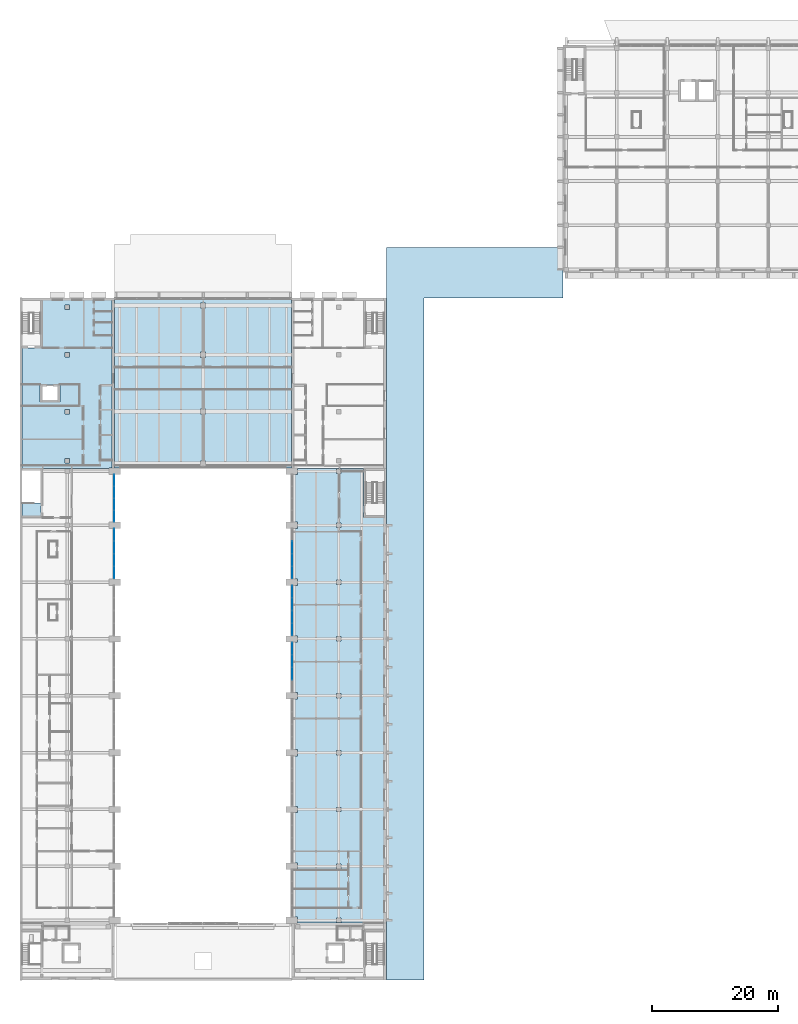
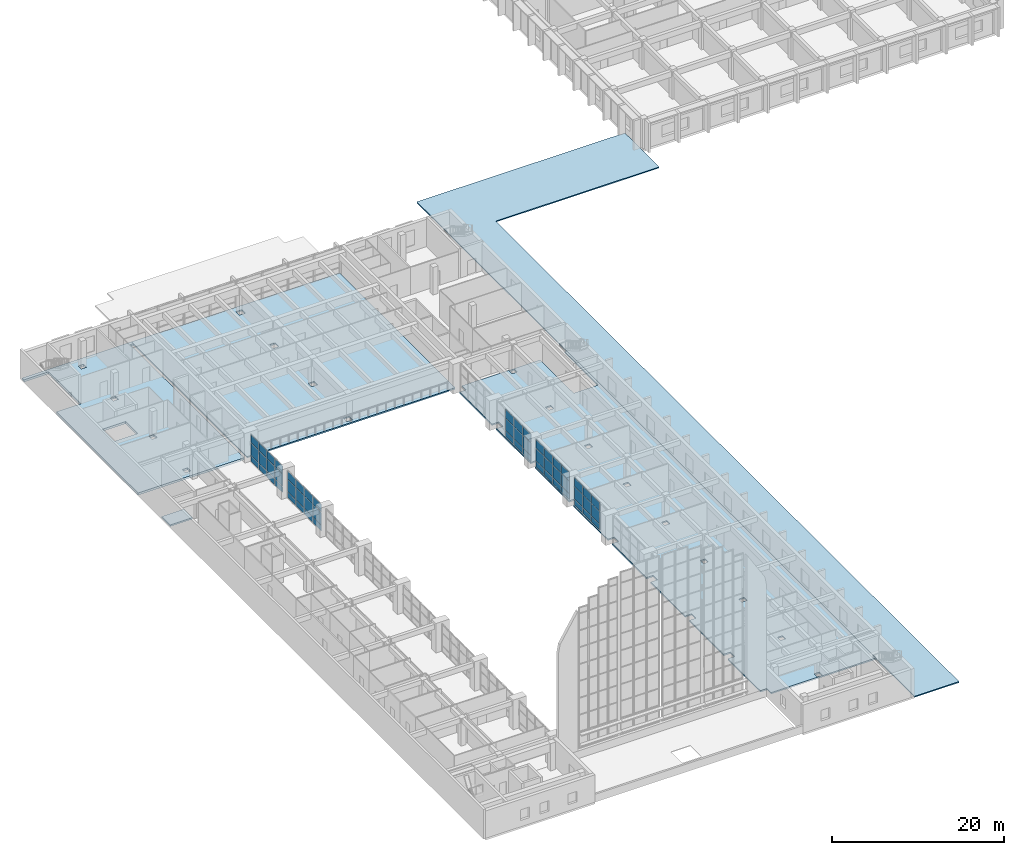
# One storey, part 22 of 45: 54 plates, 5 slabs, 5 elements without a shape of their own.
"""IFC4 building model written with IfcOpenShell, lengths in metres."""

from ifc_helpers import new_model, si_unit, direction, frame, origin, origin_2d, place, context, subcontext, project, spatial, polyline, rectangle, outline, extrude, material, layer, layer_set, type_object, element, aggregate, save


model = new_model("IFC4")

# Units and contexts
model_context = context("Model", 3, precision=1e-05, world=origin(), true_north=direction((0.0, 1.0)))
body_context = subcontext(model_context, "Body", "Model", "MODEL_VIEW")
ifc_project = project(units=[si_unit("LENGTHUNIT", "METRE"), si_unit("AREAUNIT", "SQUARE_METRE"), si_unit("VOLUMEUNIT", "CUBIC_METRE"), si_unit("PLANEANGLEUNIT", "RADIAN"), si_unit("MASSUNIT", "GRAM", prefix="KILO")], contexts=[model_context])

# Site, building, storey
site_placement = place(None, origin())
site = spatial("IfcSite", under=ifc_project, at=site_placement, CompositionType="ELEMENT")
building_placement = place(site_placement, origin())
building = spatial("IfcBuilding", under=site, at=building_placement, Name="Elmora Arch Market Hall", CompositionType="ELEMENT")
storey_placement = place(building_placement, frame((0.0, 0.0, 6.0)))
storey = spatial("IfcBuildingStorey", under=building, at=storey_placement, Name="L01", CompositionType="ELEMENT", Elevation=6.0)

# Slabs
ifc_material_1 = material(Name="Concrete C32/40", Category="concrete")
ifc_layer_1 = layer(ifc_material_1, 0.14990234375)
ifc_layer_set_1 = layer_set([ifc_layer_1], Name="Concrete C32/40")
slab_type_1 = type_object("IfcSlabType", Name="Canopy slab 150", PredefinedType="ROOF", material=ifc_layer_set_1)
slab_1_placement = place(storey_placement, frame((0.0, 0.0, -0.14990234375)))
element("IfcSlab", 1, at=slab_1_placement, inside=storey, type_object=slab_type_1, Name="Covered passage canopy", PredefinedType="ROOF", context=body_context, shape_type="SweptSolid", body=[
    extrude(outline(polyline([(58.0, 18.0), (58.0, 126.0), (58.0, 134.0), (86.0, 134.0), (86.0, 126.0), (64.0, 126.0), (64.0, 18.0), (58.0, 18.0)])), origin(), (0.0, 0.0, 1.0), 0.14990234375),
])
ifc_material_2 = material(Name="Concrete C32/40", Category="concrete")
ifc_layer_2 = layer(ifc_material_2, 0.199951171875)
ifc_layer_set_2 = layer_set([ifc_layer_2], Name="Concrete C32/40")
slab_type_2 = type_object("IfcSlabType", Name="Floor slab 200", PredefinedType="FLOOR", material=ifc_layer_set_2)
slab_2_placement = place(storey_placement, frame((0.0, 0.0, -0.199951171875)))
element("IfcSlab", 2, at=slab_2_placement, inside=storey, type_object=slab_type_2, Name="L01 floor slab EW", PredefinedType="FLOOR", context=body_context, shape_type="SweptSolid", body=[
    extrude(outline(polyline([(58.0, 99.0), (58.0, 27.0), (43.90087890625, 27.0), (43.90087890625, 27.950927734375), (43.0, 27.950927734375), (43.0, 35.4990234375), (43.90087890625, 35.4990234375), (43.90087890625, 36.5009765625), (43.0, 36.5009765625), (43.0, 44.4990234375), (43.90087890625, 44.4990234375), (43.90087890625, 45.5009765625), (43.0, 45.5009765625), (43.0, 53.4990234375), (43.90087890625, 53.4990234375), (43.90087890625, 54.5009765625), (43.0, 54.5009765625), (43.0, 62.4990234375), (43.90087890625, 62.4990234375), (43.90087890625, 63.5009765625), (43.0, 63.5009765625), (43.0, 71.4990234375), (43.90087890625, 71.4990234375), (43.90087890625, 72.5009765625), (43.0, 72.5009765625), (43.0, 80.4990234375), (43.90087890625, 80.4990234375), (43.90087890625, 81.5009765625), (43.0, 81.5009765625), (43.0, 89.4990234375), (43.90087890625, 89.4990234375), (43.90087890625, 90.5009765625), (43.0, 90.5009765625), (43.0, 98.049072265625), (43.90087890625, 98.049072265625), (43.90087890625, 99.0), (54.39892578125, 99.0), (54.39892578125, 91.198974609375), (57.700927734375, 91.198974609375), (57.700927734375, 99.0), (58.0, 99.0)]), holes=[polyline([(50.14892578125, 81.35107421875), (50.14892578125, 80.64892578125), (50.85107421875, 80.64892578125), (50.85107421875, 81.35107421875), (50.14892578125, 81.35107421875)]), polyline([(50.14892578125, 90.35107421875), (50.14892578125, 89.64892578125), (50.85107421875, 89.64892578125), (50.85107421875, 90.35107421875), (50.14892578125, 90.35107421875)]), polyline([(50.14892578125, 98.90087890625), (50.14892578125, 98.198974609375), (50.85107421875, 98.198974609375), (50.85107421875, 98.90087890625), (50.14892578125, 98.90087890625)]), polyline([(50.14892578125, 63.35107421875), (50.14892578125, 62.64892578125), (50.85107421875, 62.64892578125), (50.85107421875, 63.35107421875), (50.14892578125, 63.35107421875)]), polyline([(50.85107421875, 72.35107421875), (50.14892578125, 72.35107421875), (50.14892578125, 71.64892578125), (50.85107421875, 71.64892578125), (50.85107421875, 72.35107421875)]), polyline([(50.14892578125, 54.35107421875), (50.14892578125, 53.64892578125), (50.85107421875, 53.64892578125), (50.85107421875, 54.35107421875), (50.14892578125, 54.35107421875)]), polyline([(50.14892578125, 45.35107421875), (50.14892578125, 44.64892578125), (50.85107421875, 44.64892578125), (50.85107421875, 45.35107421875), (50.14892578125, 45.35107421875)]), polyline([(50.14892578125, 36.35107421875), (50.14892578125, 35.64892578125), (50.85107421875, 35.64892578125), (50.85107421875, 36.35107421875), (50.14892578125, 36.35107421875)]), polyline([(50.14892578125, 27.801025390625), (50.14892578125, 27.09912109375), (50.85107421875, 27.09912109375), (50.85107421875, 27.801025390625), (50.14892578125, 27.801025390625)])]), origin(), (0.0, 0.0, 1.0), 0.199951171875),
])
slab_3_placement = place(storey_placement, frame((0.0, 0.0, -0.199951171875)))
element("IfcSlab", 3, at=slab_3_placement, inside=storey, type_object=slab_type_2, Name="L01 floor slab NM", PredefinedType="FLOOR", context=body_context, shape_type="SweptSolid", body=[
    extrude(outline(polyline([(15.0, 126.0), (43.0, 126.0), (43.0, 125.551025390625), (42.9990234375, 125.551025390625), (42.9990234375, 99.051025390625), (42.09912109375, 99.051025390625), (42.09912109375, 99.0), (15.90087890625, 99.0), (15.90087890625, 99.051025390625), (15.0009765625, 99.051025390625), (15.0009765625, 125.551025390625), (15.0, 125.551025390625), (15.0, 126.0)]), holes=[polyline([(28.59912109375, 117.40087890625), (28.59912109375, 116.59912109375), (29.40087890625, 116.59912109375), (29.40087890625, 117.40087890625), (28.59912109375, 117.40087890625)]), polyline([(28.59912109375, 100.200927734375), (28.59912109375, 99.39892578125), (29.40087890625, 99.39892578125), (29.40087890625, 100.200927734375), (28.59912109375, 100.200927734375)]), polyline([(29.40087890625, 108.40087890625), (28.59912109375, 108.40087890625), (28.59912109375, 107.59912109375), (29.40087890625, 107.59912109375), (29.40087890625, 108.40087890625)]), polyline([(28.59912109375, 125.200927734375), (28.59912109375, 124.39892578125), (29.40087890625, 124.39892578125), (29.40087890625, 125.200927734375), (28.59912109375, 125.200927734375)])]), origin(), (0.0, 0.0, 1.0), 0.199951171875),
])
ifc_material_3 = material(Name="Concrete C32/40", Category="concrete")
ifc_layer_3 = layer(ifc_material_3, 0.300048828125)
ifc_layer_set_3 = layer_set([ifc_layer_3], Name="Concrete C32/40")
slab_type_3 = type_object("IfcSlabType", Name="Floor slab 300", PredefinedType="FLOOR", material=ifc_layer_set_3)
slab_4_placement = place(storey_placement, frame((0.0, 0.0, -0.300048828125)))
element("IfcSlab", 4, at=slab_4_placement, inside=storey, type_object=slab_type_3, Name="L01 floor slab NW", PredefinedType="FLOOR", context=body_context, shape_type="SweptSolid", body=[
    extrude(outline(polyline([(15.0, 126.0), (15.0, 125.551025390625), (14.59912109375, 125.551025390625), (14.59912109375, 99.051025390625), (14.09912109375, 99.051025390625), (14.09912109375, 99.0), (3.60107421875, 99.0), (3.60107421875, 99.0009765625), (0.301025390625, 99.0009765625), (0.301025390625, 118.049072265625), (3.60107421875, 118.049072265625), (3.60107421875, 125.551025390625), (0.301025390625, 125.551025390625), (0.301025390625, 126.0), (15.0, 126.0)]), holes=[polyline([(7.14892578125, 100.551025390625), (7.14892578125, 99.84912109375), (7.85107421875, 99.84912109375), (7.85107421875, 100.551025390625), (7.14892578125, 100.551025390625)]), polyline([(7.85107421875, 108.35107421875), (7.14892578125, 108.35107421875), (7.14892578125, 107.64892578125), (7.85107421875, 107.64892578125), (7.85107421875, 108.35107421875)]), polyline([(7.14892578125, 117.35107421875), (7.14892578125, 116.64892578125), (7.85107421875, 116.64892578125), (7.85107421875, 117.35107421875), (7.14892578125, 117.35107421875)]), polyline([(7.14892578125, 124.85107421875), (7.14892578125, 124.14892578125), (7.85107421875, 124.14892578125), (7.85107421875, 124.85107421875), (7.14892578125, 124.85107421875)]), polyline([(3.198974609375, 112.301025390625), (3.198974609375, 109.4990234375), (6.301025390625, 109.4990234375), (6.301025390625, 112.301025390625), (3.198974609375, 112.301025390625)])]), origin(), (0.0, 0.0, 1.0), 0.300048828125),
])

# Curtain wall, plates
ifc_material_4 = material(Name="Aluminium", Category="aluminium")
curtain_wall_type = type_object("IfcCurtainWallType", Name="Hall front curtain wall", PredefinedType="NOTDEFINED", material=ifc_material_4)
curtain_wall_1_placement = place(storey_placement, origin())
curtain_wall_1 = element("IfcCurtainWall", 5, at=curtain_wall_1_placement, inside=storey, type_object=curtain_wall_type, Name="Wing front W L01 7", PredefinedType="NOTDEFINED")
ifc_material_5 = material(Name="Glass", Category="glass")
ifc_layer_4 = layer(ifc_material_5, 0.028076171875)
ifc_layer_set_4 = layer_set([ifc_layer_4], Name="Glass")
plate_type = type_object("IfcPlateType", Name="Glass panel 28", PredefinedType="CURTAIN_PANEL", material=ifc_layer_set_4)
plate_1_placement = place(storey_placement, frame((14.89990234375, 82.52001953125, 0.06005859375), z_axis=(0.0, 0.0, 1.0), x_axis=(0.0, 1.0, 0.0)))
plate_1 = element("IfcPlate", 6, at=plate_1_placement, type_object=plate_type, Name="CW2 panel 1.1", PredefinedType="CURTAIN_PANEL", context=body_context, shape_type="SweptSolid", body=[
    extrude(rectangle(XDim=1.8798828125, YDim=0.028076171875, at=origin_2d()), origin(), (0.0, 0.0, 1.0), 0.81005859375),
])
plate_2_placement = place(storey_placement, frame((14.89990234375, 82.52001953125, 0.93017578125), z_axis=(0.0, 0.0, 1.0), x_axis=(0.0, 1.0, 0.0)))
plate_2 = element("IfcPlate", 7, at=plate_2_placement, type_object=plate_type, Name="CW2 panel 1.2", PredefinedType="CURTAIN_PANEL", context=body_context, shape_type="SweptSolid", body=[
    extrude(rectangle(XDim=1.8798828125, YDim=0.028076171875, at=origin_2d()), origin(), (0.0, 0.0, 1.0), 1.739990234375),
])
plate_3_placement = place(storey_placement, frame((14.89990234375, 82.52001953125, 2.72998046875), z_axis=(0.0, 0.0, 1.0), x_axis=(0.0, 1.0, 0.0)))
plate_3 = element("IfcPlate", 8, at=plate_3_placement, type_object=plate_type, Name="CW2 panel 1.3", PredefinedType="CURTAIN_PANEL", context=body_context, shape_type="SweptSolid", body=[
    extrude(rectangle(XDim=1.8798828125, YDim=0.028076171875, at=origin_2d()), origin(), (0.0, 0.0, 1.0), 1.110107421875),
])
plate_4_placement = place(storey_placement, frame((14.89990234375, 84.5, 0.06005859375), z_axis=(0.0, 0.0, 1.0), x_axis=(0.0, 1.0, 0.0)))
plate_4 = element("IfcPlate", 9, at=plate_4_placement, type_object=plate_type, Name="CW2 panel 2.1", PredefinedType="CURTAIN_PANEL", context=body_context, shape_type="SweptSolid", body=[
    extrude(rectangle(XDim=1.919921875, YDim=0.028076171875, at=origin_2d()), origin(), (0.0, 0.0, 1.0), 0.81005859375),
])
plate_5_placement = place(storey_placement, frame((14.89990234375, 84.5, 0.93017578125), z_axis=(0.0, 0.0, 1.0), x_axis=(0.0, 1.0, 0.0)))
plate_5 = element("IfcPlate", 10, at=plate_5_placement, type_object=plate_type, Name="CW2 panel 2.2", PredefinedType="CURTAIN_PANEL", context=body_context, shape_type="SweptSolid", body=[
    extrude(rectangle(XDim=1.919921875, YDim=0.028076171875, at=origin_2d()), origin(), (0.0, 0.0, 1.0), 1.739990234375),
])
plate_6_placement = place(storey_placement, frame((14.89990234375, 84.5, 2.72998046875), z_axis=(0.0, 0.0, 1.0), x_axis=(0.0, 1.0, 0.0)))
plate_6 = element("IfcPlate", 11, at=plate_6_placement, type_object=plate_type, Name="CW2 panel 2.3", PredefinedType="CURTAIN_PANEL", context=body_context, shape_type="SweptSolid", body=[
    extrude(rectangle(XDim=1.919921875, YDim=0.028076171875, at=origin_2d()), origin(), (0.0, 0.0, 1.0), 1.110107421875),
])
plate_7_placement = place(storey_placement, frame((14.89990234375, 86.5, 0.06005859375), z_axis=(0.0, 0.0, 1.0), x_axis=(0.0, 1.0, 0.0)))
plate_7 = element("IfcPlate", 12, at=plate_7_placement, type_object=plate_type, Name="CW2 panel 3.1", PredefinedType="CURTAIN_PANEL", context=body_context, shape_type="SweptSolid", body=[
    extrude(rectangle(XDim=1.919921875, YDim=0.028076171875, at=origin_2d()), origin(), (0.0, 0.0, 1.0), 0.81005859375),
])
plate_8_placement = place(storey_placement, frame((14.89990234375, 86.5, 0.93017578125), z_axis=(0.0, 0.0, 1.0), x_axis=(0.0, 1.0, 0.0)))
plate_8 = element("IfcPlate", 13, at=plate_8_placement, type_object=plate_type, Name="CW2 panel 3.2", PredefinedType="CURTAIN_PANEL", context=body_context, shape_type="SweptSolid", body=[
    extrude(rectangle(XDim=1.919921875, YDim=0.028076171875, at=origin_2d()), origin(), (0.0, 0.0, 1.0), 1.739990234375),
])
plate_9_placement = place(storey_placement, frame((14.89990234375, 86.5, 2.72998046875), z_axis=(0.0, 0.0, 1.0), x_axis=(0.0, 1.0, 0.0)))
plate_9 = element("IfcPlate", 14, at=plate_9_placement, type_object=plate_type, Name="CW2 panel 3.3", PredefinedType="CURTAIN_PANEL", context=body_context, shape_type="SweptSolid", body=[
    extrude(rectangle(XDim=1.919921875, YDim=0.028076171875, at=origin_2d()), origin(), (0.0, 0.0, 1.0), 1.110107421875),
])
plate_10_placement = place(storey_placement, frame((14.89990234375, 88.47998046875, 0.06005859375), z_axis=(0.0, 0.0, 1.0), x_axis=(0.0, 1.0, 0.0)))
plate_10 = element("IfcPlate", 15, at=plate_10_placement, type_object=plate_type, Name="CW2 panel 4.1", PredefinedType="CURTAIN_PANEL", context=body_context, shape_type="SweptSolid", body=[
    extrude(rectangle(XDim=1.8798828125, YDim=0.028076171875, at=origin_2d()), origin(), (0.0, 0.0, 1.0), 0.81005859375),
])
plate_11_placement = place(storey_placement, frame((14.89990234375, 88.47998046875, 0.93017578125), z_axis=(0.0, 0.0, 1.0), x_axis=(0.0, 1.0, 0.0)))
plate_11 = element("IfcPlate", 16, at=plate_11_placement, type_object=plate_type, Name="CW2 panel 4.2", PredefinedType="CURTAIN_PANEL", context=body_context, shape_type="SweptSolid", body=[
    extrude(rectangle(XDim=1.8798828125, YDim=0.028076171875, at=origin_2d()), origin(), (0.0, 0.0, 1.0), 1.739990234375),
])
plate_12_placement = place(storey_placement, frame((14.89990234375, 88.47998046875, 2.72998046875), z_axis=(0.0, 0.0, 1.0), x_axis=(0.0, 1.0, 0.0)))
plate_12 = element("IfcPlate", 17, at=plate_12_placement, type_object=plate_type, Name="CW2 panel 4.3", PredefinedType="CURTAIN_PANEL", context=body_context, shape_type="SweptSolid", body=[
    extrude(rectangle(XDim=1.8798828125, YDim=0.028076171875, at=origin_2d()), origin(), (0.0, 0.0, 1.0), 1.110107421875),
])
aggregate(curtain_wall_1, [plate_1, plate_2, plate_3, plate_4, plate_5, plate_6, plate_7, plate_8, plate_9, plate_10, plate_11, plate_12])

curtain_wall_2_placement = place(storey_placement, origin())
curtain_wall_2 = element("IfcCurtainWall", 18, at=curtain_wall_2_placement, inside=storey, type_object=curtain_wall_type, Name="Wing front W L01 8", PredefinedType="NOTDEFINED")
plate_13_placement = place(storey_placement, frame((14.89990234375, 91.4638671875, 0.06005859375), z_axis=(0.0, 0.0, 1.0), x_axis=(0.0, 1.0, 0.0)))
plate_13 = element("IfcPlate", 19, at=plate_13_placement, type_object=plate_type, Name="CW2 panel 1.1", PredefinedType="CURTAIN_PANEL", context=body_context, shape_type="SweptSolid", body=[
    extrude(rectangle(XDim=1.767578125, YDim=0.028076171875, at=origin_2d()), origin(), (0.0, 0.0, 1.0), 0.81005859375),
])
plate_14_placement = place(storey_placement, frame((14.89990234375, 91.4638671875, 0.93017578125), z_axis=(0.0, 0.0, 1.0), x_axis=(0.0, 1.0, 0.0)))
plate_14 = element("IfcPlate", 20, at=plate_14_placement, type_object=plate_type, Name="CW2 panel 1.2", PredefinedType="CURTAIN_PANEL", context=body_context, shape_type="SweptSolid", body=[
    extrude(rectangle(XDim=1.767578125, YDim=0.028076171875, at=origin_2d()), origin(), (0.0, 0.0, 1.0), 1.739990234375),
])
plate_15_placement = place(storey_placement, frame((14.89990234375, 91.4638671875, 2.72998046875), z_axis=(0.0, 0.0, 1.0), x_axis=(0.0, 1.0, 0.0)))
plate_15 = element("IfcPlate", 21, at=plate_15_placement, type_object=plate_type, Name="CW2 panel 1.3", PredefinedType="CURTAIN_PANEL", context=body_context, shape_type="SweptSolid", body=[
    extrude(rectangle(XDim=1.767578125, YDim=0.028076171875, at=origin_2d()), origin(), (0.0, 0.0, 1.0), 1.110107421875),
])
plate_16_placement = place(storey_placement, frame((14.89990234375, 93.331298828125, 0.06005859375), z_axis=(0.0, 0.0, 1.0), x_axis=(0.0, 1.0, 0.0)))
plate_16 = element("IfcPlate", 22, at=plate_16_placement, type_object=plate_type, Name="CW2 panel 2.1", PredefinedType="CURTAIN_PANEL", context=body_context, shape_type="SweptSolid", body=[
    extrude(rectangle(XDim=1.8076171875, YDim=0.028076171875, at=origin_2d()), origin(), (0.0, 0.0, 1.0), 0.81005859375),
])
plate_17_placement = place(storey_placement, frame((14.89990234375, 93.331298828125, 0.93017578125), z_axis=(0.0, 0.0, 1.0), x_axis=(0.0, 1.0, 0.0)))
plate_17 = element("IfcPlate", 23, at=plate_17_placement, type_object=plate_type, Name="CW2 panel 2.2", PredefinedType="CURTAIN_PANEL", context=body_context, shape_type="SweptSolid", body=[
    extrude(rectangle(XDim=1.8076171875, YDim=0.028076171875, at=origin_2d()), origin(), (0.0, 0.0, 1.0), 1.739990234375),
])
plate_18_placement = place(storey_placement, frame((14.89990234375, 93.331298828125, 2.72998046875), z_axis=(0.0, 0.0, 1.0), x_axis=(0.0, 1.0, 0.0)))
plate_18 = element("IfcPlate", 24, at=plate_18_placement, type_object=plate_type, Name="CW2 panel 2.3", PredefinedType="CURTAIN_PANEL", context=body_context, shape_type="SweptSolid", body=[
    extrude(rectangle(XDim=1.8076171875, YDim=0.028076171875, at=origin_2d()), origin(), (0.0, 0.0, 1.0), 1.110107421875),
])
plate_19_placement = place(storey_placement, frame((14.89990234375, 95.21875, 0.06005859375), z_axis=(0.0, 0.0, 1.0), x_axis=(0.0, 1.0, 0.0)))
plate_19 = element("IfcPlate", 25, at=plate_19_placement, type_object=plate_type, Name="CW2 panel 3.1", PredefinedType="CURTAIN_PANEL", context=body_context, shape_type="SweptSolid", body=[
    extrude(rectangle(XDim=1.8076171875, YDim=0.028076171875, at=origin_2d()), origin(), (0.0, 0.0, 1.0), 0.81005859375),
])
plate_20_placement = place(storey_placement, frame((14.89990234375, 95.21875, 0.93017578125), z_axis=(0.0, 0.0, 1.0), x_axis=(0.0, 1.0, 0.0)))
plate_20 = element("IfcPlate", 26, at=plate_20_placement, type_object=plate_type, Name="CW2 panel 3.2", PredefinedType="CURTAIN_PANEL", context=body_context, shape_type="SweptSolid", body=[
    extrude(rectangle(XDim=1.8076171875, YDim=0.028076171875, at=origin_2d()), origin(), (0.0, 0.0, 1.0), 1.739990234375),
])
plate_21_placement = place(storey_placement, frame((14.89990234375, 95.21875, 2.72998046875), z_axis=(0.0, 0.0, 1.0), x_axis=(0.0, 1.0, 0.0)))
plate_21 = element("IfcPlate", 27, at=plate_21_placement, type_object=plate_type, Name="CW2 panel 3.3", PredefinedType="CURTAIN_PANEL", context=body_context, shape_type="SweptSolid", body=[
    extrude(rectangle(XDim=1.8076171875, YDim=0.028076171875, at=origin_2d()), origin(), (0.0, 0.0, 1.0), 1.110107421875),
])
plate_22_placement = place(storey_placement, frame((14.89990234375, 97.086181640625, 0.06005859375), z_axis=(0.0, 0.0, 1.0), x_axis=(0.0, 1.0, 0.0)))
plate_22 = element("IfcPlate", 28, at=plate_22_placement, type_object=plate_type, Name="CW2 panel 4.1", PredefinedType="CURTAIN_PANEL", context=body_context, shape_type="SweptSolid", body=[
    extrude(rectangle(XDim=1.767578125, YDim=0.028076171875, at=origin_2d()), origin(), (0.0, 0.0, 1.0), 0.81005859375),
])
plate_23_placement = place(storey_placement, frame((14.89990234375, 97.086181640625, 0.93017578125), z_axis=(0.0, 0.0, 1.0), x_axis=(0.0, 1.0, 0.0)))
plate_23 = element("IfcPlate", 29, at=plate_23_placement, type_object=plate_type, Name="CW2 panel 4.2", PredefinedType="CURTAIN_PANEL", context=body_context, shape_type="SweptSolid", body=[
    extrude(rectangle(XDim=1.767578125, YDim=0.028076171875, at=origin_2d()), origin(), (0.0, 0.0, 1.0), 1.739990234375),
])
plate_24_placement = place(storey_placement, frame((14.89990234375, 97.086181640625, 2.72998046875), z_axis=(0.0, 0.0, 1.0), x_axis=(0.0, 1.0, 0.0)))
plate_24 = element("IfcPlate", 30, at=plate_24_placement, type_object=plate_type, Name="CW2 panel 4.3", PredefinedType="CURTAIN_PANEL", context=body_context, shape_type="SweptSolid", body=[
    extrude(rectangle(XDim=1.767578125, YDim=0.028076171875, at=origin_2d()), origin(), (0.0, 0.0, 1.0), 1.110107421875),
])
aggregate(curtain_wall_2, [plate_13, plate_14, plate_15, plate_16, plate_17, plate_18, plate_19, plate_20, plate_21, plate_22, plate_23, plate_24])

curtain_wall_3_placement = place(storey_placement, origin())
curtain_wall_3 = element("IfcCurtainWall", 31, at=curtain_wall_3_placement, inside=storey, type_object=curtain_wall_type, Name="Wing front E L01 5", PredefinedType="NOTDEFINED")
plate_25_placement = place(storey_placement, frame((43.10009765625, 66.5, 0.06005859375), z_axis=(0.0, 0.0, 1.0), x_axis=(0.0, 1.0, 0.0)))
plate_25 = element("IfcPlate", 32, at=plate_25_placement, type_object=plate_type, Name="CW2 panel 2.1", PredefinedType="CURTAIN_PANEL", context=body_context, shape_type="SweptSolid", body=[
    extrude(rectangle(XDim=1.919921875, YDim=0.028076171875, at=origin_2d()), origin(), (0.0, 0.0, 1.0), 0.81005859375),
])
plate_26_placement = place(storey_placement, frame((43.10009765625, 66.5, 0.93017578125), z_axis=(0.0, 0.0, 1.0), x_axis=(0.0, 1.0, 0.0)))
plate_26 = element("IfcPlate", 33, at=plate_26_placement, type_object=plate_type, Name="CW2 panel 2.2", PredefinedType="CURTAIN_PANEL", context=body_context, shape_type="SweptSolid", body=[
    extrude(rectangle(XDim=1.919921875, YDim=0.028076171875, at=origin_2d()), origin(), (0.0, 0.0, 1.0), 1.739990234375),
])
plate_27_placement = place(storey_placement, frame((43.10009765625, 66.5, 2.72998046875), z_axis=(0.0, 0.0, 1.0), x_axis=(0.0, 1.0, 0.0)))
plate_27 = element("IfcPlate", 34, at=plate_27_placement, type_object=plate_type, Name="CW2 panel 2.3", PredefinedType="CURTAIN_PANEL", context=body_context, shape_type="SweptSolid", body=[
    extrude(rectangle(XDim=1.919921875, YDim=0.028076171875, at=origin_2d()), origin(), (0.0, 0.0, 1.0), 1.2099609375),
])
plate_28_placement = place(storey_placement, frame((43.10009765625, 68.5, 0.06005859375), z_axis=(0.0, 0.0, 1.0), x_axis=(0.0, 1.0, 0.0)))
plate_28 = element("IfcPlate", 35, at=plate_28_placement, type_object=plate_type, Name="CW2 panel 3.1", PredefinedType="CURTAIN_PANEL", context=body_context, shape_type="SweptSolid", body=[
    extrude(rectangle(XDim=1.919921875, YDim=0.028076171875, at=origin_2d()), origin(), (0.0, 0.0, 1.0), 0.81005859375),
])
plate_29_placement = place(storey_placement, frame((43.10009765625, 68.5, 0.93017578125), z_axis=(0.0, 0.0, 1.0), x_axis=(0.0, 1.0, 0.0)))
plate_29 = element("IfcPlate", 36, at=plate_29_placement, type_object=plate_type, Name="CW2 panel 3.2", PredefinedType="CURTAIN_PANEL", context=body_context, shape_type="SweptSolid", body=[
    extrude(rectangle(XDim=1.919921875, YDim=0.028076171875, at=origin_2d()), origin(), (0.0, 0.0, 1.0), 1.739990234375),
])
plate_30_placement = place(storey_placement, frame((43.10009765625, 68.5, 2.72998046875), z_axis=(0.0, 0.0, 1.0), x_axis=(0.0, 1.0, 0.0)))
plate_30 = element("IfcPlate", 37, at=plate_30_placement, type_object=plate_type, Name="CW2 panel 3.3", PredefinedType="CURTAIN_PANEL", context=body_context, shape_type="SweptSolid", body=[
    extrude(rectangle(XDim=1.919921875, YDim=0.028076171875, at=origin_2d()), origin(), (0.0, 0.0, 1.0), 1.2099609375),
])
plate_31_placement = place(storey_placement, frame((43.10009765625, 70.47998046875, 0.06005859375), z_axis=(0.0, 0.0, 1.0), x_axis=(0.0, 1.0, 0.0)))
plate_31 = element("IfcPlate", 38, at=plate_31_placement, type_object=plate_type, Name="CW2 panel 4.1", PredefinedType="CURTAIN_PANEL", context=body_context, shape_type="SweptSolid", body=[
    extrude(rectangle(XDim=1.8798828125, YDim=0.028076171875, at=origin_2d()), origin(), (0.0, 0.0, 1.0), 0.81005859375),
])
plate_32_placement = place(storey_placement, frame((43.10009765625, 70.47998046875, 0.93017578125), z_axis=(0.0, 0.0, 1.0), x_axis=(0.0, 1.0, 0.0)))
plate_32 = element("IfcPlate", 39, at=plate_32_placement, type_object=plate_type, Name="CW2 panel 4.2", PredefinedType="CURTAIN_PANEL", context=body_context, shape_type="SweptSolid", body=[
    extrude(rectangle(XDim=1.8798828125, YDim=0.028076171875, at=origin_2d()), origin(), (0.0, 0.0, 1.0), 1.739990234375),
])
plate_33_placement = place(storey_placement, frame((43.10009765625, 70.47998046875, 2.72998046875), z_axis=(0.0, 0.0, 1.0), x_axis=(0.0, 1.0, 0.0)))
plate_33 = element("IfcPlate", 40, at=plate_33_placement, type_object=plate_type, Name="CW2 panel 4.3", PredefinedType="CURTAIN_PANEL", context=body_context, shape_type="SweptSolid", body=[
    extrude(rectangle(XDim=1.8798828125, YDim=0.028076171875, at=origin_2d()), origin(), (0.0, 0.0, 1.0), 1.2099609375),
])
aggregate(curtain_wall_3, [plate_25, plate_26, plate_27, plate_28, plate_29, plate_30, plate_31, plate_32, plate_33])

curtain_wall_4_placement = place(storey_placement, origin())
curtain_wall_4 = element("IfcCurtainWall", 41, at=curtain_wall_4_placement, inside=storey, type_object=curtain_wall_type, Name="Wing front E L01 6", PredefinedType="NOTDEFINED")
plate_34_placement = place(storey_placement, frame((43.10009765625, 73.52001953125, 0.06005859375), z_axis=(0.0, 0.0, 1.0), x_axis=(0.0, 1.0, 0.0)))
plate_34 = element("IfcPlate", 42, at=plate_34_placement, type_object=plate_type, Name="CW2 panel 1.1", PredefinedType="CURTAIN_PANEL", context=body_context, shape_type="SweptSolid", body=[
    extrude(rectangle(XDim=1.8798828125, YDim=0.028076171875, at=origin_2d()), origin(), (0.0, 0.0, 1.0), 0.81005859375),
])
plate_35_placement = place(storey_placement, frame((43.10009765625, 73.52001953125, 0.93017578125), z_axis=(0.0, 0.0, 1.0), x_axis=(0.0, 1.0, 0.0)))
plate_35 = element("IfcPlate", 43, at=plate_35_placement, type_object=plate_type, Name="CW2 panel 1.2", PredefinedType="CURTAIN_PANEL", context=body_context, shape_type="SweptSolid", body=[
    extrude(rectangle(XDim=1.8798828125, YDim=0.028076171875, at=origin_2d()), origin(), (0.0, 0.0, 1.0), 1.739990234375),
])
plate_36_placement = place(storey_placement, frame((43.10009765625, 73.52001953125, 2.72998046875), z_axis=(0.0, 0.0, 1.0), x_axis=(0.0, 1.0, 0.0)))
plate_36 = element("IfcPlate", 44, at=plate_36_placement, type_object=plate_type, Name="CW2 panel 1.3", PredefinedType="CURTAIN_PANEL", context=body_context, shape_type="SweptSolid", body=[
    extrude(rectangle(XDim=1.8798828125, YDim=0.028076171875, at=origin_2d()), origin(), (0.0, 0.0, 1.0), 1.2099609375),
])
plate_37_placement = place(storey_placement, frame((43.10009765625, 75.5, 0.06005859375), z_axis=(0.0, 0.0, 1.0), x_axis=(0.0, 1.0, 0.0)))
plate_37 = element("IfcPlate", 45, at=plate_37_placement, type_object=plate_type, Name="CW2 panel 2.1", PredefinedType="CURTAIN_PANEL", context=body_context, shape_type="SweptSolid", body=[
    extrude(rectangle(XDim=1.919921875, YDim=0.028076171875, at=origin_2d()), origin(), (0.0, 0.0, 1.0), 0.81005859375),
])
plate_38_placement = place(storey_placement, frame((43.10009765625, 75.5, 0.93017578125), z_axis=(0.0, 0.0, 1.0), x_axis=(0.0, 1.0, 0.0)))
plate_38 = element("IfcPlate", 46, at=plate_38_placement, type_object=plate_type, Name="CW2 panel 2.2", PredefinedType="CURTAIN_PANEL", context=body_context, shape_type="SweptSolid", body=[
    extrude(rectangle(XDim=1.919921875, YDim=0.028076171875, at=origin_2d()), origin(), (0.0, 0.0, 1.0), 1.739990234375),
])
plate_39_placement = place(storey_placement, frame((43.10009765625, 75.5, 2.72998046875), z_axis=(0.0, 0.0, 1.0), x_axis=(0.0, 1.0, 0.0)))
plate_39 = element("IfcPlate", 47, at=plate_39_placement, type_object=plate_type, Name="CW2 panel 2.3", PredefinedType="CURTAIN_PANEL", context=body_context, shape_type="SweptSolid", body=[
    extrude(rectangle(XDim=1.919921875, YDim=0.028076171875, at=origin_2d()), origin(), (0.0, 0.0, 1.0), 1.2099609375),
])
plate_40_placement = place(storey_placement, frame((43.10009765625, 77.5, 0.06005859375), z_axis=(0.0, 0.0, 1.0), x_axis=(0.0, 1.0, 0.0)))
plate_40 = element("IfcPlate", 48, at=plate_40_placement, type_object=plate_type, Name="CW2 panel 3.1", PredefinedType="CURTAIN_PANEL", context=body_context, shape_type="SweptSolid", body=[
    extrude(rectangle(XDim=1.919921875, YDim=0.028076171875, at=origin_2d()), origin(), (0.0, 0.0, 1.0), 0.81005859375),
])
plate_41_placement = place(storey_placement, frame((43.10009765625, 77.5, 0.93017578125), z_axis=(0.0, 0.0, 1.0), x_axis=(0.0, 1.0, 0.0)))
plate_41 = element("IfcPlate", 49, at=plate_41_placement, type_object=plate_type, Name="CW2 panel 3.2", PredefinedType="CURTAIN_PANEL", context=body_context, shape_type="SweptSolid", body=[
    extrude(rectangle(XDim=1.919921875, YDim=0.028076171875, at=origin_2d()), origin(), (0.0, 0.0, 1.0), 1.739990234375),
])
plate_42_placement = place(storey_placement, frame((43.10009765625, 77.5, 2.72998046875), z_axis=(0.0, 0.0, 1.0), x_axis=(0.0, 1.0, 0.0)))
plate_42 = element("IfcPlate", 50, at=plate_42_placement, type_object=plate_type, Name="CW2 panel 3.3", PredefinedType="CURTAIN_PANEL", context=body_context, shape_type="SweptSolid", body=[
    extrude(rectangle(XDim=1.919921875, YDim=0.028076171875, at=origin_2d()), origin(), (0.0, 0.0, 1.0), 1.2099609375),
])
plate_43_placement = place(storey_placement, frame((43.10009765625, 79.47998046875, 0.06005859375), z_axis=(0.0, 0.0, 1.0), x_axis=(0.0, 1.0, 0.0)))
plate_43 = element("IfcPlate", 51, at=plate_43_placement, type_object=plate_type, Name="CW2 panel 4.1", PredefinedType="CURTAIN_PANEL", context=body_context, shape_type="SweptSolid", body=[
    extrude(rectangle(XDim=1.8798828125, YDim=0.028076171875, at=origin_2d()), origin(), (0.0, 0.0, 1.0), 0.81005859375),
])
plate_44_placement = place(storey_placement, frame((43.10009765625, 79.47998046875, 0.93017578125), z_axis=(0.0, 0.0, 1.0), x_axis=(0.0, 1.0, 0.0)))
plate_44 = element("IfcPlate", 52, at=plate_44_placement, type_object=plate_type, Name="CW2 panel 4.2", PredefinedType="CURTAIN_PANEL", context=body_context, shape_type="SweptSolid", body=[
    extrude(rectangle(XDim=1.8798828125, YDim=0.028076171875, at=origin_2d()), origin(), (0.0, 0.0, 1.0), 1.739990234375),
])
plate_45_placement = place(storey_placement, frame((43.10009765625, 79.47998046875, 2.72998046875), z_axis=(0.0, 0.0, 1.0), x_axis=(0.0, 1.0, 0.0)))
plate_45 = element("IfcPlate", 53, at=plate_45_placement, type_object=plate_type, Name="CW2 panel 4.3", PredefinedType="CURTAIN_PANEL", context=body_context, shape_type="SweptSolid", body=[
    extrude(rectangle(XDim=1.8798828125, YDim=0.028076171875, at=origin_2d()), origin(), (0.0, 0.0, 1.0), 1.2099609375),
])
aggregate(curtain_wall_4, [plate_34, plate_35, plate_36, plate_37, plate_38, plate_39, plate_40, plate_41, plate_42, plate_43, plate_44, plate_45])

curtain_wall_5_placement = place(storey_placement, origin())
curtain_wall_5 = element("IfcCurtainWall", 54, at=curtain_wall_5_placement, inside=storey, type_object=curtain_wall_type, Name="Wing front E L01 7", PredefinedType="NOTDEFINED")
plate_46_placement = place(storey_placement, frame((43.10009765625, 82.52001953125, 0.06005859375), z_axis=(0.0, 0.0, 1.0), x_axis=(0.0, 1.0, 0.0)))
plate_46 = element("IfcPlate", 55, at=plate_46_placement, type_object=plate_type, Name="CW2 panel 1.1", PredefinedType="CURTAIN_PANEL", context=body_context, shape_type="SweptSolid", body=[
    extrude(rectangle(XDim=1.8798828125, YDim=0.028076171875, at=origin_2d()), origin(), (0.0, 0.0, 1.0), 0.81005859375),
])
plate_47_placement = place(storey_placement, frame((43.10009765625, 82.52001953125, 0.93017578125), z_axis=(0.0, 0.0, 1.0), x_axis=(0.0, 1.0, 0.0)))
plate_47 = element("IfcPlate", 56, at=plate_47_placement, type_object=plate_type, Name="CW2 panel 1.2", PredefinedType="CURTAIN_PANEL", context=body_context, shape_type="SweptSolid", body=[
    extrude(rectangle(XDim=1.8798828125, YDim=0.028076171875, at=origin_2d()), origin(), (0.0, 0.0, 1.0), 1.739990234375),
])
plate_48_placement = place(storey_placement, frame((43.10009765625, 82.52001953125, 2.72998046875), z_axis=(0.0, 0.0, 1.0), x_axis=(0.0, 1.0, 0.0)))
plate_48 = element("IfcPlate", 57, at=plate_48_placement, type_object=plate_type, Name="CW2 panel 1.3", PredefinedType="CURTAIN_PANEL", context=body_context, shape_type="SweptSolid", body=[
    extrude(rectangle(XDim=1.8798828125, YDim=0.028076171875, at=origin_2d()), origin(), (0.0, 0.0, 1.0), 1.2099609375),
])
plate_49_placement = place(storey_placement, frame((43.10009765625, 84.5, 0.06005859375), z_axis=(0.0, 0.0, 1.0), x_axis=(0.0, 1.0, 0.0)))
plate_49 = element("IfcPlate", 58, at=plate_49_placement, type_object=plate_type, Name="CW2 panel 2.1", PredefinedType="CURTAIN_PANEL", context=body_context, shape_type="SweptSolid", body=[
    extrude(rectangle(XDim=1.919921875, YDim=0.028076171875, at=origin_2d()), origin(), (0.0, 0.0, 1.0), 0.81005859375),
])
plate_50_placement = place(storey_placement, frame((43.10009765625, 84.5, 0.93017578125), z_axis=(0.0, 0.0, 1.0), x_axis=(0.0, 1.0, 0.0)))
plate_50 = element("IfcPlate", 59, at=plate_50_placement, type_object=plate_type, Name="CW2 panel 2.2", PredefinedType="CURTAIN_PANEL", context=body_context, shape_type="SweptSolid", body=[
    extrude(rectangle(XDim=1.919921875, YDim=0.028076171875, at=origin_2d()), origin(), (0.0, 0.0, 1.0), 1.739990234375),
])
plate_51_placement = place(storey_placement, frame((43.10009765625, 84.5, 2.72998046875), z_axis=(0.0, 0.0, 1.0), x_axis=(0.0, 1.0, 0.0)))
plate_51 = element("IfcPlate", 60, at=plate_51_placement, type_object=plate_type, Name="CW2 panel 2.3", PredefinedType="CURTAIN_PANEL", context=body_context, shape_type="SweptSolid", body=[
    extrude(rectangle(XDim=1.919921875, YDim=0.028076171875, at=origin_2d()), origin(), (0.0, 0.0, 1.0), 1.2099609375),
])
plate_52_placement = place(storey_placement, frame((43.10009765625, 86.5, 0.06005859375), z_axis=(0.0, 0.0, 1.0), x_axis=(0.0, 1.0, 0.0)))
plate_52 = element("IfcPlate", 61, at=plate_52_placement, type_object=plate_type, Name="CW2 panel 3.1", PredefinedType="CURTAIN_PANEL", context=body_context, shape_type="SweptSolid", body=[
    extrude(rectangle(XDim=1.919921875, YDim=0.028076171875, at=origin_2d()), origin(), (0.0, 0.0, 1.0), 0.81005859375),
])
plate_53_placement = place(storey_placement, frame((43.10009765625, 86.5, 0.93017578125), z_axis=(0.0, 0.0, 1.0), x_axis=(0.0, 1.0, 0.0)))
plate_53 = element("IfcPlate", 62, at=plate_53_placement, type_object=plate_type, Name="CW2 panel 3.2", PredefinedType="CURTAIN_PANEL", context=body_context, shape_type="SweptSolid", body=[
    extrude(rectangle(XDim=1.919921875, YDim=0.028076171875, at=origin_2d()), origin(), (0.0, 0.0, 1.0), 1.739990234375),
])
plate_54_placement = place(storey_placement, frame((43.10009765625, 86.5, 2.72998046875), z_axis=(0.0, 0.0, 1.0), x_axis=(0.0, 1.0, 0.0)))
plate_54 = element("IfcPlate", 63, at=plate_54_placement, type_object=plate_type, Name="CW2 panel 3.3", PredefinedType="CURTAIN_PANEL", context=body_context, shape_type="SweptSolid", body=[
    extrude(rectangle(XDim=1.919921875, YDim=0.028076171875, at=origin_2d()), origin(), (0.0, 0.0, 1.0), 1.2099609375),
])
aggregate(curtain_wall_5, [plate_46, plate_47, plate_48, plate_49, plate_50, plate_51, plate_52, plate_53, plate_54])

# Slab
ifc_material_6 = material(Name="Concrete C32/40", Category="concrete")
ifc_layer_5 = layer(ifc_material_6, 0.199951171875)
ifc_layer_set_5 = layer_set([ifc_layer_5], Name="Concrete C32/40")
slab_type_4 = type_object("IfcSlabType", Name="Stair landing 200", PredefinedType="LANDING", material=ifc_layer_set_5)
slab_5_placement = place(storey_placement, frame((0.0, 0.0, -0.199951171875)))
element("IfcSlab", 64, at=slab_5_placement, inside=storey, type_object=slab_type_4, Name="Stair ST-WN landing L01", PredefinedType="LANDING", context=body_context, shape_type="SweptSolid", body=[
    extrude(outline(polyline([(0.300048828125, 91.5), (3.300048828125, 91.5), (3.300048828125, 93.5), (0.300048828125, 93.5), (0.300048828125, 91.5)])), origin(), (0.0, 0.0, 1.0), 0.199951171875),
])

save(model, "model.ifc")
